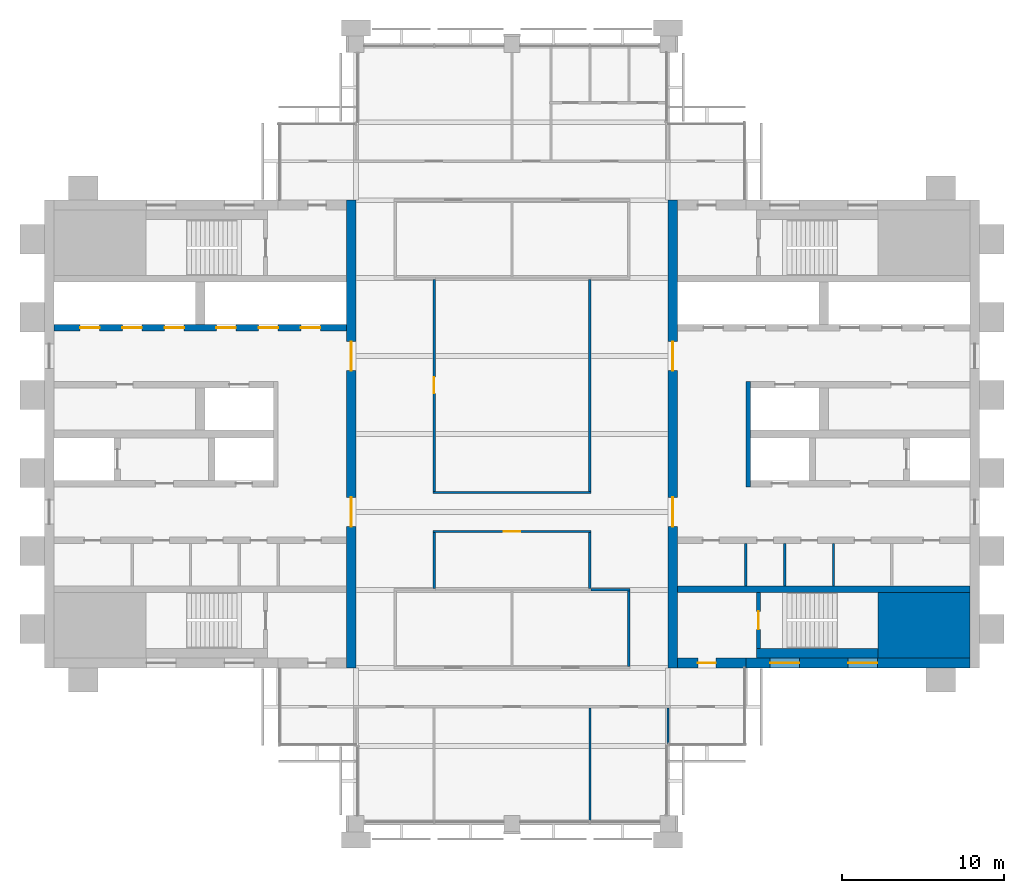
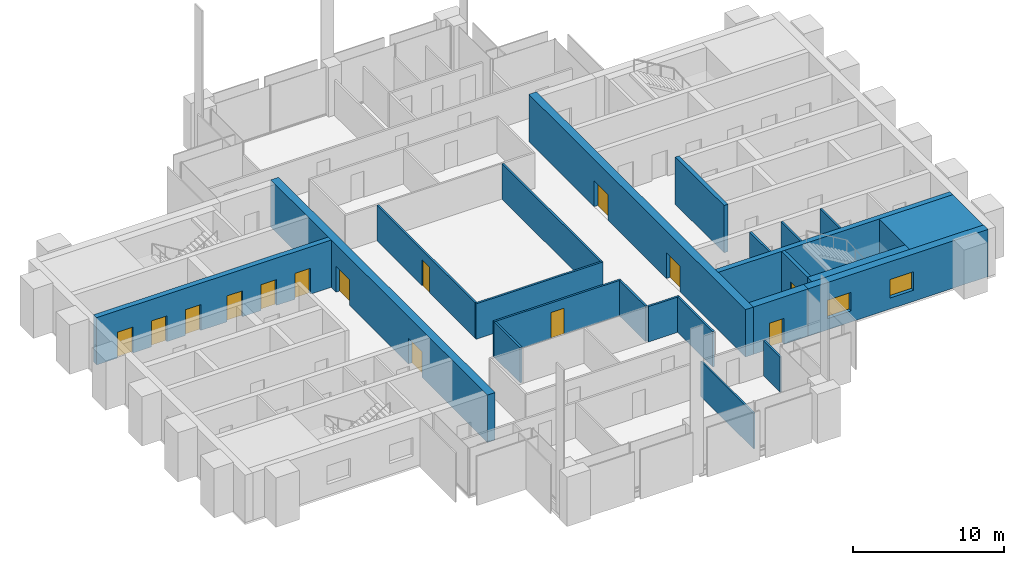
# One storey, part 9 of 13: 23 walls, 14 doors, 2 windows, 16 openings.
"""IFC4 building model written with IfcOpenShell, lengths in metres."""

from ifc_helpers import new_model, si_unit, direction, frame, frame_2d, origin, place, context, subcontext, project, spatial, rectangle, extrude, material, layer, layer_set, type_object, element, fill, save


model = new_model("IFC4")

# Units and contexts
model_context = context("Model", 3, precision=1e-05, world=origin(), true_north=direction((0.0, 1.0)))
body_context = subcontext(model_context, "Body", "Model", "MODEL_VIEW")
ifc_project = project(units=[si_unit("LENGTHUNIT", "METRE"), si_unit("AREAUNIT", "SQUARE_METRE"), si_unit("VOLUMEUNIT", "CUBIC_METRE"), si_unit("PLANEANGLEUNIT", "RADIAN"), si_unit("MASSUNIT", "GRAM", prefix="KILO")], contexts=[model_context])

# Site, building, storey
site_placement = place(None, origin())
site = spatial("IfcSite", under=ifc_project, at=site_placement, CompositionType="ELEMENT")
building_placement = place(site_placement, origin())
building = spatial("IfcBuilding", under=site, at=building_placement, Name="Baori Bourse Tower", CompositionType="ELEMENT")
storey_placement = place(building_placement, frame((0.0, 0.0, 330.300048828125)))
storey = spatial("IfcBuildingStorey", under=building, at=storey_placement, Name="L73", CompositionType="ELEMENT", Elevation=330.300048828125)

# Walls
ifc_material_1 = material(Name="Concrete f'c 40 MPa", Category="concrete")
wall_type_1 = type_object("IfcWallType", Name="Core corner block f'c 40", PredefinedType="SHEAR", material=ifc_material_1)
wall_1_placement = place(storey_placement, frame((51.35009765625, 12.22509765625, 0.0), z_axis=(0.0, 0.0, 1.0), x_axis=(1.0, 0.0, 0.0)))
element("IfcWall", 1, at=wall_1_placement, inside=storey, type_object=wall_type_1, Name="Core wall E05", PredefinedType="SHEAR", context=body_context, shape_type="SweptSolid", body=[
    extrude(rectangle(XDim=5.64990234375, YDim=4.050048828125, at=frame_2d((2.824951171875, 0.0))), origin(), (0.0, 0.0, 1.0), 3.83984375),
])
ifc_material_2 = material(Name="Blockwork partition", Category="masonry")
ifc_layer_1 = layer(ifc_material_2, 0.14990234375)
ifc_layer_set_1 = layer_set([ifc_layer_1], Name="Core partition 150")
wall_type_2 = type_object("IfcWallType", Name="Core partition 150", PredefinedType="PARTITIONING", material=ifc_layer_set_1)
for number, where, z_axis, x_axis, name in (
    (2, (48.60009765625, 14.64990234375, 0.0), (0.0, 0.0, 1.0), (0.0, 1.0, 0.0), "Partition wall E10"),
    (3, (45.60009765625, 14.64990234375, 0.0), (0.0, 0.0, 1.0), (0.0, 1.0, 0.0), "Partition wall E11"),
    (4, (43.199951171875, 14.64990234375, 0.0), (0.0, 0.0, 1.0), (0.0, 1.0, 0.0), "Partition wall E12"),
):
    element("IfcWall", number, at=place(storey_placement, frame(where, z_axis=z_axis, x_axis=x_axis)), inside=storey, type_object=wall_type_2, Name=name, PredefinedType="PARTITIONING", context=body_context, shape_type="SweptSolid", body=[
        extrude(rectangle(XDim=2.60009765625, YDim=0.14990234375, at=frame_2d((1.300048828125, 0.0))), origin(), (0.0, 0.0, 1.0), 3.83984375),
    ])

# Wall, openings, doors
ifc_material_3 = material(Name="Concrete f'c 40 MPa", Category="concrete")
ifc_layer_2 = layer(ifc_material_3, 0.60009765625)
ifc_layer_set_2 = layer_set([ifc_layer_2], Name="Core wall 600 f'c 40")
wall_type_3 = type_object("IfcWallType", Name="Core wall 600 f'c 40", PredefinedType="SHEAR", material=ifc_layer_set_2)
wall_2_placement = place(storey_placement, frame((18.89990234375, 38.39990234375, 0.0), z_axis=(0.0, 0.0, 1.0), x_axis=(0.0, -1.0, 0.0)))
wall_2 = element("IfcWall", 5, at=wall_2_placement, inside=storey, type_object=wall_type_3, Name="Core wall W04", PredefinedType="SHEAR", context=body_context, shape_type="SweptSolid", body=[
    extrude(rectangle(XDim=28.7998046875, YDim=0.60009765625, at=frame_2d((14.39990234375, 0.0))), origin(), (0.0, 0.0, 1.0), 3.83984375),
])
opening_1_placement = place(wall_2_placement, frame((18.300048828125, 0.0, 0.0)))
opening_1 = element("IfcOpeningElement", 6, at=opening_1_placement, cuts=wall_2, Name="Opening L73-D107", PredefinedType="OPENING", context=body_context, shape_type="SweptSolid", body=[
    extrude(rectangle(XDim=1.800048828125, YDim=2.10009765625, at=frame_2d((0.89990234375, 1.050048828125))), frame((0.0, 0.31005859375, 0.0), z_axis=(0.0, -1.0, 0.0), x_axis=(1.0, 0.0, 0.0)), (0.0, 0.0, 1.0), 0.6201171875),
])
opening_2_placement = place(wall_2_placement, frame((8.699951171875, 0.0, 0.0)))
opening_2 = element("IfcOpeningElement", 7, at=opening_2_placement, cuts=wall_2, Name="Opening L73-D108", PredefinedType="OPENING", context=body_context, shape_type="SweptSolid", body=[
    extrude(rectangle(XDim=1.800048828125, YDim=2.10009765625, at=frame_2d((0.89990234375, 1.050048828125))), frame((0.0, 0.31005859375, 0.0), z_axis=(0.0, -1.0, 0.0), x_axis=(1.0, 0.0, 0.0)), (0.0, 0.0, 1.0), 0.6201171875),
])
ifc_material_4 = material(Name="Painted steel door", Category="steel")
door_type_1 = type_object("IfcDoorType", Name="Core lobby door 1800", OperationType="DOUBLE_DOOR_SINGLE_SWING", PredefinedType="DOOR", material=ifc_material_4)
door_1_placement = place(opening_1_placement, origin())
door_1 = element("IfcDoor", 8, at=door_1_placement, inside=storey, type_object=door_type_1, Name="Lobby door W L73", OperationType="DOUBLE_DOOR_SINGLE_SWING", OverallHeight=2.10009765625, OverallWidth=1.800048828125, PredefinedType="DOOR", context=body_context, shape_type="SweptSolid", body=[
    extrude(rectangle(XDim=1.800048828125, YDim=2.10009765625, at=frame_2d((0.89990234375, 1.050048828125))), frame((0.0, 0.02490234375, 0.0), z_axis=(0.0, -1.0, 0.0), x_axis=(1.0, 0.0, 0.0)), (0.0, 0.0, 1.0), 0.050048828125),
])
fill(opening_1, door_1)
door_2_placement = place(opening_2_placement, origin())
door_2 = element("IfcDoor", 9, at=door_2_placement, inside=storey, type_object=door_type_1, Name="Lobby door W L73", OperationType="DOUBLE_DOOR_SINGLE_SWING", OverallHeight=2.10009765625, OverallWidth=1.800048828125, PredefinedType="DOOR", context=body_context, shape_type="SweptSolid", body=[
    extrude(rectangle(XDim=1.800048828125, YDim=2.10009765625, at=frame_2d((0.89990234375, 1.050048828125))), frame((0.0, 0.02490234375, 0.0), z_axis=(0.0, -1.0, 0.0), x_axis=(1.0, 0.0, 0.0)), (0.0, 0.0, 1.0), 0.050048828125),
])
fill(opening_2, door_2)

# Wall, openings, windows
wall_3_placement = place(storey_placement, frame((57.0, 9.89990234375, 0.0), z_axis=(0.0, 0.0, 1.0), x_axis=(-1.0, 0.0, 0.0)))
wall_3 = element("IfcWall", 10, at=wall_3_placement, inside=storey, type_object=wall_type_3, Name="Core wall E02", PredefinedType="SHEAR", context=body_context, shape_type="SweptSolid", body=[
    extrude(rectangle(XDim=13.800048828125, YDim=0.60009765625, at=frame_2d((6.89990234375, 0.0))), origin(), (0.0, 0.0, 1.0), 3.83984375),
])
opening_3_placement = place(wall_3_placement, frame((5.699951171875, 0.0, 0.89990234375)))
opening_3 = element("IfcOpeningElement", 11, at=opening_3_placement, cuts=wall_3, Name="Opening L73-KW203", PredefinedType="OPENING", context=body_context, shape_type="SweptSolid", body=[
    extrude(rectangle(XDim=1.800048828125, YDim=1.5, at=frame_2d((0.89990234375, 0.75))), frame((0.0, 0.31005859375, 0.0), z_axis=(0.0, -1.0, 0.0), x_axis=(1.0, 0.0, 0.0)), (0.0, 0.0, 1.0), 0.6201171875),
])
opening_4_placement = place(wall_3_placement, frame((10.5, 0.0, 0.89990234375)))
opening_4 = element("IfcOpeningElement", 12, at=opening_4_placement, cuts=wall_3, Name="Opening L73-KW204", PredefinedType="OPENING", context=body_context, shape_type="SweptSolid", body=[
    extrude(rectangle(XDim=1.800048828125, YDim=1.5, at=frame_2d((0.89990234375, 0.75))), frame((0.0, 0.31005859375, 0.0), z_axis=(0.0, -1.0, 0.0), x_axis=(1.0, 0.0, 0.0)), (0.0, 0.0, 1.0), 0.6201171875),
])
ifc_material_5 = material(Name="Pale anodised aluminium", Category="aluminium")
window_type = type_object("IfcWindowType", Name="Stair window 1800 x 1500", PartitioningType="SINGLE_PANEL", PredefinedType="WINDOW", material=ifc_material_5)
window_1_placement = place(opening_3_placement, origin())
window_1 = element("IfcWindow", 13, at=window_1_placement, inside=storey, type_object=window_type, Name="Stair window E L73 3", OverallHeight=1.5, OverallWidth=1.800048828125, PartitioningType="SINGLE_PANEL", PredefinedType="WINDOW", context=body_context, shape_type="SweptSolid", body=[
    extrude(rectangle(XDim=1.800048828125, YDim=1.5, at=frame_2d((0.89990234375, 0.75))), frame((0.0, 0.030029296875, 0.0), z_axis=(0.0, -1.0, 0.0), x_axis=(1.0, 0.0, 0.0)), (0.0, 0.0, 1.0), 0.06005859375),
])
fill(opening_3, window_1)
window_2_placement = place(opening_4_placement, origin())
window_2 = element("IfcWindow", 14, at=window_2_placement, inside=storey, type_object=window_type, Name="Stair window E L73 4", OverallHeight=1.5, OverallWidth=1.800048828125, PartitioningType="SINGLE_PANEL", PredefinedType="WINDOW", context=body_context, shape_type="SweptSolid", body=[
    extrude(rectangle(XDim=1.800048828125, YDim=1.5, at=frame_2d((0.89990234375, 0.75))), frame((0.0, 0.030029296875, 0.0), z_axis=(0.0, -1.0, 0.0), x_axis=(1.0, 0.0, 0.0)), (0.0, 0.0, 1.0), 0.06005859375),
])
fill(opening_4, window_2)

# Wall, opening, door
wall_4_placement = place(storey_placement, frame((43.199951171875, 9.89990234375, 0.0), z_axis=(0.0, 0.0, 1.0), x_axis=(-1.0, 0.0, 0.0)))
wall_4 = element("IfcWall", 15, at=wall_4_placement, inside=storey, type_object=wall_type_3, Name="Core wall E03", PredefinedType="SHEAR", context=body_context, shape_type="SweptSolid", body=[
    extrude(rectangle(XDim=4.199951171875, YDim=0.60009765625, at=frame_2d((2.10009765625, 0.0))), origin(), (0.0, 0.0, 1.0), 3.83984375),
])
opening_5_placement = place(wall_4_placement, frame((1.85009765625, 0.0, 0.0)))
opening_5 = element("IfcOpeningElement", 16, at=opening_5_placement, cuts=wall_4, Name="Opening L73-D202", PredefinedType="OPENING", context=body_context, shape_type="SweptSolid", body=[
    extrude(rectangle(XDim=1.10009765625, YDim=2.10009765625, at=frame_2d((0.550048828125, 1.050048828125))), frame((0.0, 0.31005859375, 0.0), z_axis=(0.0, -1.0, 0.0), x_axis=(1.0, 0.0, 0.0)), (0.0, 0.0, 1.0), 0.6201171875),
])
ifc_material_6 = material(Name="Painted steel door", Category="steel")
door_type_2 = type_object("IfcDoorType", Name="Stair door 1100", OperationType="SINGLE_SWING_LEFT", PredefinedType="DOOR", material=ifc_material_6)
door_3_placement = place(opening_5_placement, origin())
door_3 = element("IfcDoor", 17, at=door_3_placement, inside=storey, type_object=door_type_2, Name="Stair vestibule door A E L73", OperationType="SINGLE_SWING_LEFT", OverallHeight=2.10009765625, OverallWidth=1.10009765625, PredefinedType="DOOR", context=body_context, shape_type="SweptSolid", body=[
    extrude(rectangle(XDim=1.10009765625, YDim=2.10009765625, at=frame_2d((0.550048828125, 1.050048828125))), frame((0.0, 0.02490234375, 0.0), z_axis=(0.0, -1.0, 0.0), x_axis=(1.0, 0.0, 0.0)), (0.0, 0.0, 1.0), 0.050048828125),
])
fill(opening_5, door_3)

# Wall, openings, doors
wall_5_placement = place(storey_placement, frame((38.699951171875, 9.60009765625, 0.0), z_axis=(0.0, 0.0, 1.0), x_axis=(0.0, 1.0, 0.0)))
wall_5 = element("IfcWall", 18, at=wall_5_placement, inside=storey, type_object=wall_type_3, Name="Core wall E04", PredefinedType="SHEAR", context=body_context, shape_type="SweptSolid", body=[
    extrude(rectangle(XDim=28.7998046875, YDim=0.60009765625, at=frame_2d((14.39990234375, 0.0))), origin(), (0.0, 0.0, 1.0), 3.83984375),
])
opening_6_placement = place(wall_5_placement, frame((8.699951171875, 0.0, 0.0)))
opening_6 = element("IfcOpeningElement", 19, at=opening_6_placement, cuts=wall_5, Name="Opening L73-D207", PredefinedType="OPENING", context=body_context, shape_type="SweptSolid", body=[
    extrude(rectangle(XDim=1.800048828125, YDim=2.10009765625, at=frame_2d((0.89990234375, 1.050048828125))), frame((0.0, 0.31005859375, 0.0), z_axis=(0.0, -1.0, 0.0), x_axis=(1.0, 0.0, 0.0)), (0.0, 0.0, 1.0), 0.6201171875),
])
opening_7_placement = place(wall_5_placement, frame((18.300048828125, 0.0, 0.0)))
opening_7 = element("IfcOpeningElement", 20, at=opening_7_placement, cuts=wall_5, Name="Opening L73-D208", PredefinedType="OPENING", context=body_context, shape_type="SweptSolid", body=[
    extrude(rectangle(XDim=1.800048828125, YDim=2.10009765625, at=frame_2d((0.89990234375, 1.050048828125))), frame((0.0, 0.31005859375, 0.0), z_axis=(0.0, -1.0, 0.0), x_axis=(1.0, 0.0, 0.0)), (0.0, 0.0, 1.0), 0.6201171875),
])
door_4_placement = place(opening_6_placement, origin())
door_4 = element("IfcDoor", 21, at=door_4_placement, inside=storey, type_object=door_type_1, Name="Lobby door E L73", OperationType="DOUBLE_DOOR_SINGLE_SWING", OverallHeight=2.10009765625, OverallWidth=1.800048828125, PredefinedType="DOOR", context=body_context, shape_type="SweptSolid", body=[
    extrude(rectangle(XDim=1.800048828125, YDim=2.10009765625, at=frame_2d((0.89990234375, 1.050048828125))), frame((0.0, 0.02490234375, 0.0), z_axis=(0.0, -1.0, 0.0), x_axis=(1.0, 0.0, 0.0)), (0.0, 0.0, 1.0), 0.050048828125),
])
fill(opening_6, door_4)
door_5_placement = place(opening_7_placement, origin())
door_5 = element("IfcDoor", 22, at=door_5_placement, inside=storey, type_object=door_type_1, Name="Lobby door E L73", OperationType="DOUBLE_DOOR_SINGLE_SWING", OverallHeight=2.10009765625, OverallWidth=1.800048828125, PredefinedType="DOOR", context=body_context, shape_type="SweptSolid", body=[
    extrude(rectangle(XDim=1.800048828125, YDim=2.10009765625, at=frame_2d((0.89990234375, 1.050048828125))), frame((0.0, 0.02490234375, 0.0), z_axis=(0.0, -1.0, 0.0), x_axis=(1.0, 0.0, 0.0)), (0.0, 0.0, 1.0), 0.050048828125),
])
fill(opening_7, door_5)

# Wall
ifc_material_7 = material(Name="Gypsum board partition")
ifc_layer_3 = layer(ifc_material_7, 0.14990234375)
ifc_layer_set_3 = layer_set([ifc_layer_3], Name="Corridor partition 150")
wall_type_4 = type_object("IfcWallType", Name="Corridor partition 150", PredefinedType="PARTITIONING", material=ifc_layer_set_3)
wall_6_placement = place(storey_placement, frame((33.675048828125, 14.39990234375, 0.0), z_axis=(0.0, 0.0, 1.0), x_axis=(1.0, 0.0, 0.0)))
element("IfcWall", 23, at=wall_6_placement, inside=storey, type_object=wall_type_4, Name="Partition", PredefinedType="PARTITIONING", context=body_context, shape_type="SweptSolid", body=[
    extrude(rectangle(XDim=2.39990234375, YDim=0.14990234375, at=frame_2d((1.199951171875, 0.0))), origin(), (0.0, 0.0, 1.0), 2.86962890625),
])

# Wall, opening, door
wall_7_placement = place(storey_placement, frame((23.925048828125, 18.0, 0.0), z_axis=(0.0, 0.0, 1.0), x_axis=(1.0, 0.0, 0.0)))
wall_7 = element("IfcWall", 24, at=wall_7_placement, inside=storey, type_object=wall_type_4, Name="Partition", PredefinedType="PARTITIONING", context=body_context, shape_type="SweptSolid", body=[
    extrude(rectangle(XDim=9.75, YDim=0.14990234375, at=frame_2d((4.875, 0.0))), origin(), (0.0, 0.0, 1.0), 2.86962890625),
])
opening_8_placement = place(wall_7_placement, frame((4.375, 0.0, 0.0)))
opening_8 = element("IfcOpeningElement", 25, at=opening_8_placement, cuts=wall_7, Name="Opening L73-D08", PredefinedType="OPENING", context=body_context, shape_type="SweptSolid", body=[
    extrude(rectangle(XDim=1.0, YDim=2.10009765625, at=frame_2d((0.5, 1.050048828125))), frame((0.0, 0.0849609375, 0.0), z_axis=(0.0, -1.0, 0.0), x_axis=(1.0, 0.0, 0.0)), (0.0, 0.0, 1.0), 0.169921875),
])
ifc_material_8 = material(Name="Timber door leaf", Category="wood")
door_type_3 = type_object("IfcDoorType", Name="Door 1000 x 2100", OperationType="SINGLE_SWING_LEFT", PredefinedType="DOOR", material=ifc_material_8)
door_6_placement = place(opening_8_placement, origin())
door_6 = element("IfcDoor", 26, at=door_6_placement, inside=storey, type_object=door_type_3, Name="Door", OperationType="SINGLE_SWING_RIGHT", OverallHeight=2.10009765625, OverallWidth=1.0, PredefinedType="DOOR", context=body_context, shape_type="SweptSolid", body=[
    extrude(rectangle(XDim=1.0, YDim=2.10009765625, at=frame_2d((0.5, 1.050048828125))), frame((0.0, 0.02490234375, 0.0), z_axis=(0.0, -1.0, 0.0), x_axis=(1.0, 0.0, 0.0)), (0.0, 0.0, 1.0), 0.050048828125),
])
fill(opening_8, door_6)

# Walls
wall_8_placement = place(storey_placement, frame((23.925048828125, 20.39990234375, 0.0), z_axis=(0.0, 0.0, 1.0), x_axis=(1.0, 0.0, 0.0)))
element("IfcWall", 27, at=wall_8_placement, inside=storey, type_object=wall_type_4, Name="Partition", PredefinedType="PARTITIONING", context=body_context, shape_type="SweptSolid", body=[
    extrude(rectangle(XDim=9.75, YDim=0.14990234375, at=frame_2d((4.875, 0.0))), origin(), (0.0, 0.0, 1.0), 2.86962890625),
])
wall_9_placement = place(storey_placement, frame((24.0, 14.47509765625, 0.0), z_axis=(0.0, 0.0, 1.0), x_axis=(0.0, 1.0, 0.0)))
element("IfcWall", 28, at=wall_9_placement, inside=storey, type_object=wall_type_4, Name="Partition", PredefinedType="PARTITIONING", context=body_context, shape_type="SweptSolid", body=[
    extrude(rectangle(XDim=3.449951171875, YDim=0.14990234375, at=frame_2d((1.72509765625, 0.0))), origin(), (0.0, 0.0, 1.0), 2.86962890625),
])

# Wall, opening, door
wall_10_placement = place(storey_placement, frame((24.0, 20.47509765625, 0.0), z_axis=(0.0, 0.0, 1.0), x_axis=(0.0, 1.0, 0.0)))
wall_10 = element("IfcWall", 29, at=wall_10_placement, inside=storey, type_object=wall_type_4, Name="Partition", PredefinedType="PARTITIONING", context=body_context, shape_type="SweptSolid", body=[
    extrude(rectangle(XDim=13.0498046875, YDim=0.14990234375, at=frame_2d((6.52490234375, 0.0))), origin(), (0.0, 0.0, 1.0), 2.86962890625),
])
opening_9_placement = place(wall_10_placement, frame((6.02490234375, 0.0, 0.0)))
opening_9 = element("IfcOpeningElement", 30, at=opening_9_placement, cuts=wall_10, Name="Opening L73-D19", PredefinedType="OPENING", context=body_context, shape_type="SweptSolid", body=[
    extrude(rectangle(XDim=1.0, YDim=2.10009765625, at=frame_2d((0.5, 1.050048828125))), frame((0.0, 0.0849609375, 0.0), z_axis=(0.0, -1.0, 0.0), x_axis=(1.0, 0.0, 0.0)), (0.0, 0.0, 1.0), 0.169921875),
])
door_7_placement = place(opening_9_placement, origin())
door_7 = element("IfcDoor", 31, at=door_7_placement, inside=storey, type_object=door_type_3, Name="Door", OperationType="SINGLE_SWING_LEFT", OverallHeight=2.10009765625, OverallWidth=1.0, PredefinedType="DOOR", context=body_context, shape_type="SweptSolid", body=[
    extrude(rectangle(XDim=1.0, YDim=2.10009765625, at=frame_2d((0.5, 1.050048828125))), frame((0.0, 0.02490234375, 0.0), z_axis=(0.0, -1.0, 0.0), x_axis=(1.0, 0.0, 0.0)), (0.0, 0.0, 1.0), 0.050048828125),
])
fill(opening_9, door_7)

# Walls
wall_11_placement = place(storey_placement, frame((33.60009765625, 14.47509765625, 0.0), z_axis=(0.0, 0.0, 1.0), x_axis=(0.0, 1.0, 0.0)))
element("IfcWall", 32, at=wall_11_placement, inside=storey, type_object=wall_type_4, Name="Partition", PredefinedType="PARTITIONING", context=body_context, shape_type="SweptSolid", body=[
    extrude(rectangle(XDim=3.449951171875, YDim=0.14990234375, at=frame_2d((1.72509765625, 0.0))), origin(), (0.0, 0.0, 1.0), 2.86962890625),
])
wall_12_placement = place(storey_placement, frame((33.60009765625, 20.47509765625, 0.0), z_axis=(0.0, 0.0, 1.0), x_axis=(0.0, 1.0, 0.0)))
element("IfcWall", 33, at=wall_12_placement, inside=storey, type_object=wall_type_4, Name="Partition", PredefinedType="PARTITIONING", context=body_context, shape_type="SweptSolid", body=[
    extrude(rectangle(XDim=13.0498046875, YDim=0.14990234375, at=frame_2d((6.52490234375, 0.0))), origin(), (0.0, 0.0, 1.0), 2.86962890625),
])
wall_13_placement = place(storey_placement, frame((36.0, 9.675048828125, 0.0), z_axis=(0.0, 0.0, 1.0), x_axis=(0.0, 1.0, 0.0)))
element("IfcWall", 34, at=wall_13_placement, inside=storey, type_object=wall_type_4, Name="Partition", PredefinedType="PARTITIONING", context=body_context, shape_type="SweptSolid", body=[
    extrude(rectangle(XDim=4.64990234375, YDim=0.14990234375, at=frame_2d((2.324951171875, 0.0))), origin(), (0.0, 0.0, 1.0), 2.86962890625),
])
ifc_material_9 = material(Name="Gypsum board partition")
ifc_layer_4 = layer(ifc_material_9, 0.125)
ifc_layer_set_4 = layer_set([ifc_layer_4], Name="Partition 125")
wall_type_5 = type_object("IfcWallType", Name="Partition 125", PredefinedType="PARTITIONING", material=ifc_layer_set_4)
wall_14_placement = place(storey_placement, frame((33.60009765625, 0.10009765625, 0.0), z_axis=(0.0, 0.0, 1.0), x_axis=(0.0, 1.0, 0.0)))
element("IfcWall", 35, at=wall_14_placement, inside=storey, type_object=wall_type_5, Name="Partition", PredefinedType="PARTITIONING", context=body_context, shape_type="SweptSolid", body=[
    extrude(rectangle(XDim=7.02490234375, YDim=0.125, at=frame_2d((3.512451171875, 0.0))), origin(), (0.0, 0.0, 1.0), 2.86962890625),
])
wall_15_placement = place(storey_placement, frame((38.39990234375, 4.89990234375, 0.0), z_axis=(0.0, 0.0, 1.0), x_axis=(0.0, 1.0, 0.0)))
element("IfcWall", 36, at=wall_15_placement, inside=storey, type_object=wall_type_5, Name="Partition", PredefinedType="PARTITIONING", context=body_context, shape_type="SweptSolid", body=[
    extrude(rectangle(XDim=2.22509765625, YDim=0.125, at=frame_2d((1.112548828125, 0.0))), origin(), (0.0, 0.0, 1.0), 2.86962890625),
])

# Wall, opening, door
ifc_material_10 = material(Name="Concrete f'c 40 MPa", Category="concrete")
ifc_layer_5 = layer(ifc_material_10, 0.25)
ifc_layer_set_5 = layer_set([ifc_layer_5], Name="Shaft wall 250 f'c 40")
wall_type_6 = type_object("IfcWallType", Name="Shaft wall 250 f'c 40", PredefinedType="SHEAR", material=ifc_layer_set_5)
wall_16_placement = place(storey_placement, frame((43.97509765625, 10.800048828125, 0.0), z_axis=(0.0, 0.0, 1.0), x_axis=(0.0, 1.0, 0.0)))
wall_16 = element("IfcWall", 37, at=wall_16_placement, inside=storey, type_object=wall_type_6, Name="Core wall E07", PredefinedType="SHEAR", context=body_context, shape_type="SweptSolid", body=[
    extrude(rectangle(XDim=3.449951171875, YDim=0.25, at=frame_2d((1.72509765625, 0.0))), origin(), (0.0, 0.0, 1.0), 3.83984375),
])
opening_10_placement = place(wall_16_placement, frame((1.175048828125, 0.0, 0.0)))
opening_10 = element("IfcOpeningElement", 38, at=opening_10_placement, cuts=wall_16, Name="Opening L73-D201", PredefinedType="OPENING", context=body_context, shape_type="SweptSolid", body=[
    extrude(rectangle(XDim=1.10009765625, YDim=2.10009765625, at=frame_2d((0.550048828125, 1.050048828125))), frame((0.0, 0.135009765625, 0.0), z_axis=(0.0, -1.0, 0.0), x_axis=(1.0, 0.0, 0.0)), (0.0, 0.0, 1.0), 0.27001953125),
])
door_8_placement = place(opening_10_placement, origin())
door_8 = element("IfcDoor", 39, at=door_8_placement, inside=storey, type_object=door_type_2, Name="Stair door A E L73", OperationType="SINGLE_SWING_LEFT", OverallHeight=2.10009765625, OverallWidth=1.10009765625, PredefinedType="DOOR", context=body_context, shape_type="SweptSolid", body=[
    extrude(rectangle(XDim=1.10009765625, YDim=2.10009765625, at=frame_2d((0.550048828125, 1.050048828125))), frame((0.0, 0.02490234375, 0.0), z_axis=(0.0, -1.0, 0.0), x_axis=(1.0, 0.0, 0.0)), (0.0, 0.0, 1.0), 0.050048828125),
])
fill(opening_10, door_8)

# Wall
ifc_material_11 = material(Name="Concrete f'c 40 MPa", Category="concrete")
ifc_layer_6 = layer(ifc_material_11, 0.300048828125)
ifc_layer_set_6 = layer_set([ifc_layer_6], Name="Shaft wall 300 f'c 40")
wall_type_7 = type_object("IfcWallType", Name="Shaft wall 300 f'c 40", PredefinedType="SHEAR", material=ifc_layer_set_6)
wall_17_placement = place(storey_placement, frame((43.35009765625, 20.75, 0.0), z_axis=(0.0, 0.0, 1.0), x_axis=(0.0, 1.0, 0.0)))
element("IfcWall", 40, at=wall_17_placement, inside=storey, type_object=wall_type_7, Name="Core wall E15", PredefinedType="SHEAR", context=body_context, shape_type="SweptSolid", body=[
    extrude(rectangle(XDim=6.5, YDim=0.300048828125, at=frame_2d((3.25, 0.0))), origin(), (0.0, 0.0, 1.0), 3.83984375),
])

# Wall, openings, doors
ifc_material_12 = material(Name="Concrete f'c 40 MPa", Category="concrete")
ifc_layer_7 = layer(ifc_material_12, 0.39990234375)
ifc_layer_set_7 = layer_set([ifc_layer_7], Name="Shaft wall 400 f'c 40")
wall_type_8 = type_object("IfcWallType", Name="Shaft wall 400 f'c 40", PredefinedType="SHEAR", material=ifc_layer_set_7)
wall_18_placement = place(storey_placement, frame((0.60009765625, 30.550048828125, 0.0), z_axis=(0.0, 0.0, 1.0), x_axis=(1.0, 0.0, 0.0)))
wall_18 = element("IfcWall", 41, at=wall_18_placement, inside=storey, type_object=wall_type_8, Name="Core wall W21", PredefinedType="SHEAR", context=body_context, shape_type="SweptSolid", body=[
    extrude(rectangle(XDim=18.0, YDim=0.39990234375, at=frame_2d((9.0, 0.0))), origin(), (0.0, 0.0, 1.0), 3.83984375),
])
opening_11_placement = place(wall_18_placement, frame((1.60009765625, 0.0, 0.0)))
opening_11 = element("IfcOpeningElement", 42, at=opening_11_placement, cuts=wall_18, Name="Opening L73-D115", PredefinedType="OPENING", context=body_context, shape_type="SweptSolid", body=[
    extrude(rectangle(XDim=1.199951171875, YDim=2.10009765625, at=frame_2d((0.60009765625, 1.050048828125))), frame((0.0, 0.2099609375, 0.0), z_axis=(0.0, -1.0, 0.0), x_axis=(1.0, 0.0, 0.0)), (0.0, 0.0, 1.0), 0.419921875),
])
opening_12_placement = place(wall_18_placement, frame((4.199951171875, 0.0, 0.0)))
opening_12 = element("IfcOpeningElement", 43, at=opening_12_placement, cuts=wall_18, Name="Opening L73-D116", PredefinedType="OPENING", context=body_context, shape_type="SweptSolid", body=[
    extrude(rectangle(XDim=1.199951171875, YDim=2.10009765625, at=frame_2d((0.60009765625, 1.050048828125))), frame((0.0, 0.2099609375, 0.0), z_axis=(0.0, -1.0, 0.0), x_axis=(1.0, 0.0, 0.0)), (0.0, 0.0, 1.0), 0.419921875),
])
opening_13_placement = place(wall_18_placement, frame((6.800048828125, 0.0, 0.0)))
opening_13 = element("IfcOpeningElement", 44, at=opening_13_placement, cuts=wall_18, Name="Opening L73-D117", PredefinedType="OPENING", context=body_context, shape_type="SweptSolid", body=[
    extrude(rectangle(XDim=1.199951171875, YDim=2.10009765625, at=frame_2d((0.60009765625, 1.050048828125))), frame((0.0, 0.2099609375, 0.0), z_axis=(0.0, -1.0, 0.0), x_axis=(1.0, 0.0, 0.0)), (0.0, 0.0, 1.0), 0.419921875),
])
opening_14_placement = place(wall_18_placement, frame((10.0, 0.0, 0.0)))
opening_14 = element("IfcOpeningElement", 45, at=opening_14_placement, cuts=wall_18, Name="Opening L73-D118", PredefinedType="OPENING", context=body_context, shape_type="SweptSolid", body=[
    extrude(rectangle(XDim=1.199951171875, YDim=2.10009765625, at=frame_2d((0.60009765625, 1.050048828125))), frame((0.0, 0.2099609375, 0.0), z_axis=(0.0, -1.0, 0.0), x_axis=(1.0, 0.0, 0.0)), (0.0, 0.0, 1.0), 0.419921875),
])
opening_15_placement = place(wall_18_placement, frame((12.60009765625, 0.0, 0.0)))
opening_15 = element("IfcOpeningElement", 46, at=opening_15_placement, cuts=wall_18, Name="Opening L73-D119", PredefinedType="OPENING", context=body_context, shape_type="SweptSolid", body=[
    extrude(rectangle(XDim=1.199951171875, YDim=2.10009765625, at=frame_2d((0.60009765625, 1.050048828125))), frame((0.0, 0.2099609375, 0.0), z_axis=(0.0, -1.0, 0.0), x_axis=(1.0, 0.0, 0.0)), (0.0, 0.0, 1.0), 0.419921875),
])
opening_16_placement = place(wall_18_placement, frame((15.199951171875, 0.0, 0.0)))
opening_16 = element("IfcOpeningElement", 47, at=opening_16_placement, cuts=wall_18, Name="Opening L73-D120", PredefinedType="OPENING", context=body_context, shape_type="SweptSolid", body=[
    extrude(rectangle(XDim=1.199951171875, YDim=2.10009765625, at=frame_2d((0.60009765625, 1.050048828125))), frame((0.0, 0.2099609375, 0.0), z_axis=(0.0, -1.0, 0.0), x_axis=(1.0, 0.0, 0.0)), (0.0, 0.0, 1.0), 0.419921875),
])
ifc_material_13 = material(Name="Stainless steel door", Category="steel")
door_type_4 = type_object("IfcDoorType", Name="Lift landing door", OperationType="DOUBLE_DOOR_SLIDING", PredefinedType="DOOR", material=ifc_material_13)
door_9_placement = place(opening_11_placement, origin())
door_9 = element("IfcDoor", 48, at=door_9_placement, inside=storey, type_object=door_type_4, Name="Lift landing door HR1 W L73", OperationType="DOUBLE_DOOR_SLIDING", OverallHeight=2.10009765625, OverallWidth=1.199951171875, PredefinedType="DOOR", context=body_context, shape_type="SweptSolid", body=[
    extrude(rectangle(XDim=1.199951171875, YDim=2.10009765625, at=frame_2d((0.60009765625, 1.050048828125))), frame((0.0, 0.02490234375, 0.0), z_axis=(0.0, -1.0, 0.0), x_axis=(1.0, 0.0, 0.0)), (0.0, 0.0, 1.0), 0.050048828125),
])
fill(opening_11, door_9)
door_10_placement = place(opening_12_placement, origin())
door_10 = element("IfcDoor", 49, at=door_10_placement, inside=storey, type_object=door_type_4, Name="Lift landing door HR2 W L73", OperationType="DOUBLE_DOOR_SLIDING", OverallHeight=2.10009765625, OverallWidth=1.199951171875, PredefinedType="DOOR", context=body_context, shape_type="SweptSolid", body=[
    extrude(rectangle(XDim=1.199951171875, YDim=2.10009765625, at=frame_2d((0.60009765625, 1.050048828125))), frame((0.0, 0.02490234375, 0.0), z_axis=(0.0, -1.0, 0.0), x_axis=(1.0, 0.0, 0.0)), (0.0, 0.0, 1.0), 0.050048828125),
])
fill(opening_12, door_10)
door_11_placement = place(opening_13_placement, origin())
door_11 = element("IfcDoor", 50, at=door_11_placement, inside=storey, type_object=door_type_4, Name="Lift landing door HR3 W L73", OperationType="DOUBLE_DOOR_SLIDING", OverallHeight=2.10009765625, OverallWidth=1.199951171875, PredefinedType="DOOR", context=body_context, shape_type="SweptSolid", body=[
    extrude(rectangle(XDim=1.199951171875, YDim=2.10009765625, at=frame_2d((0.60009765625, 1.050048828125))), frame((0.0, 0.02490234375, 0.0), z_axis=(0.0, -1.0, 0.0), x_axis=(1.0, 0.0, 0.0)), (0.0, 0.0, 1.0), 0.050048828125),
])
fill(opening_13, door_11)
door_12_placement = place(opening_14_placement, origin())
door_12 = element("IfcDoor", 51, at=door_12_placement, inside=storey, type_object=door_type_4, Name="Lift landing door HR4 W L73", OperationType="DOUBLE_DOOR_SLIDING", OverallHeight=2.10009765625, OverallWidth=1.199951171875, PredefinedType="DOOR", context=body_context, shape_type="SweptSolid", body=[
    extrude(rectangle(XDim=1.199951171875, YDim=2.10009765625, at=frame_2d((0.60009765625, 1.050048828125))), frame((0.0, 0.02490234375, 0.0), z_axis=(0.0, -1.0, 0.0), x_axis=(1.0, 0.0, 0.0)), (0.0, 0.0, 1.0), 0.050048828125),
])
fill(opening_14, door_12)
door_13_placement = place(opening_15_placement, origin())
door_13 = element("IfcDoor", 52, at=door_13_placement, inside=storey, type_object=door_type_4, Name="Lift landing door HR5 W L73", OperationType="DOUBLE_DOOR_SLIDING", OverallHeight=2.10009765625, OverallWidth=1.199951171875, PredefinedType="DOOR", context=body_context, shape_type="SweptSolid", body=[
    extrude(rectangle(XDim=1.199951171875, YDim=2.10009765625, at=frame_2d((0.60009765625, 1.050048828125))), frame((0.0, 0.02490234375, 0.0), z_axis=(0.0, -1.0, 0.0), x_axis=(1.0, 0.0, 0.0)), (0.0, 0.0, 1.0), 0.050048828125),
])
fill(opening_15, door_13)
door_14_placement = place(opening_16_placement, origin())
door_14 = element("IfcDoor", 53, at=door_14_placement, inside=storey, type_object=door_type_4, Name="Lift landing door HR6 W L73", OperationType="DOUBLE_DOOR_SLIDING", OverallHeight=2.10009765625, OverallWidth=1.199951171875, PredefinedType="DOOR", context=body_context, shape_type="SweptSolid", body=[
    extrude(rectangle(XDim=1.199951171875, YDim=2.10009765625, at=frame_2d((0.60009765625, 1.050048828125))), frame((0.0, 0.02490234375, 0.0), z_axis=(0.0, -1.0, 0.0), x_axis=(1.0, 0.0, 0.0)), (0.0, 0.0, 1.0), 0.050048828125),
])
fill(opening_16, door_14)

# Walls
wall_19_placement = place(storey_placement, frame((39.0, 14.449951171875, 0.0), z_axis=(0.0, 0.0, 1.0), x_axis=(1.0, 0.0, 0.0)))
element("IfcWall", 54, at=wall_19_placement, inside=storey, type_object=wall_type_8, Name="Core wall E08", PredefinedType="SHEAR", context=body_context, shape_type="SweptSolid", body=[
    extrude(rectangle(XDim=18.0, YDim=0.39990234375, at=frame_2d((9.0, 0.0))), origin(), (0.0, 0.0, 1.0), 3.83984375),
])
ifc_material_14 = material(Name="Concrete f'c 40 MPa", Category="concrete")
ifc_layer_8 = layer(ifc_material_14, 0.60009765625)
ifc_layer_set_8 = layer_set([ifc_layer_8], Name="Shaft wall 600 f'c 40")
wall_type_9 = type_object("IfcWallType", Name="Shaft wall 600 f'c 40", PredefinedType="SHEAR", material=ifc_layer_set_8)
wall_20_placement = place(storey_placement, frame((43.85009765625, 10.5, 0.0), z_axis=(0.0, 0.0, 1.0), x_axis=(1.0, 0.0, 0.0)))
element("IfcWall", 55, at=wall_20_placement, inside=storey, type_object=wall_type_9, Name="Core wall E06", PredefinedType="SHEAR", context=body_context, shape_type="SweptSolid", body=[
    extrude(rectangle(XDim=7.5, YDim=0.60009765625, at=frame_2d((3.75, 0.0))), origin(), (0.0, 0.0, 1.0), 3.83984375),
])

save(model, "model.ifc")
